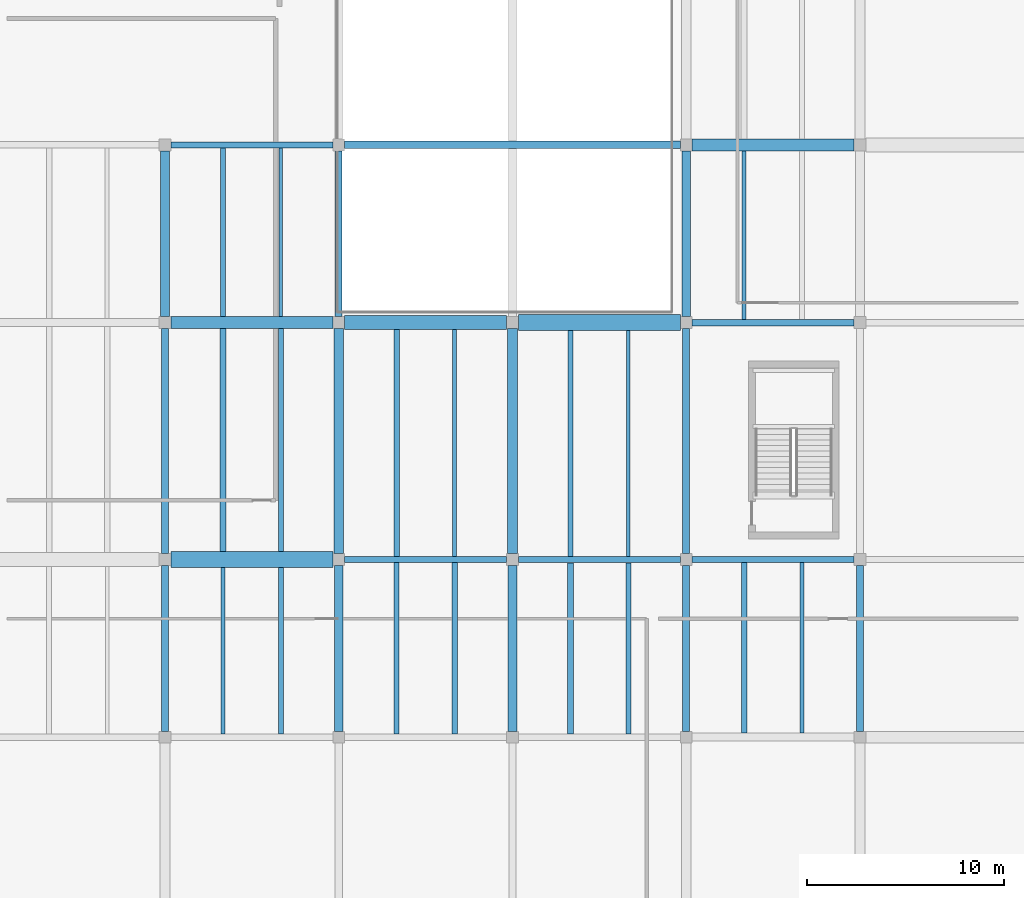
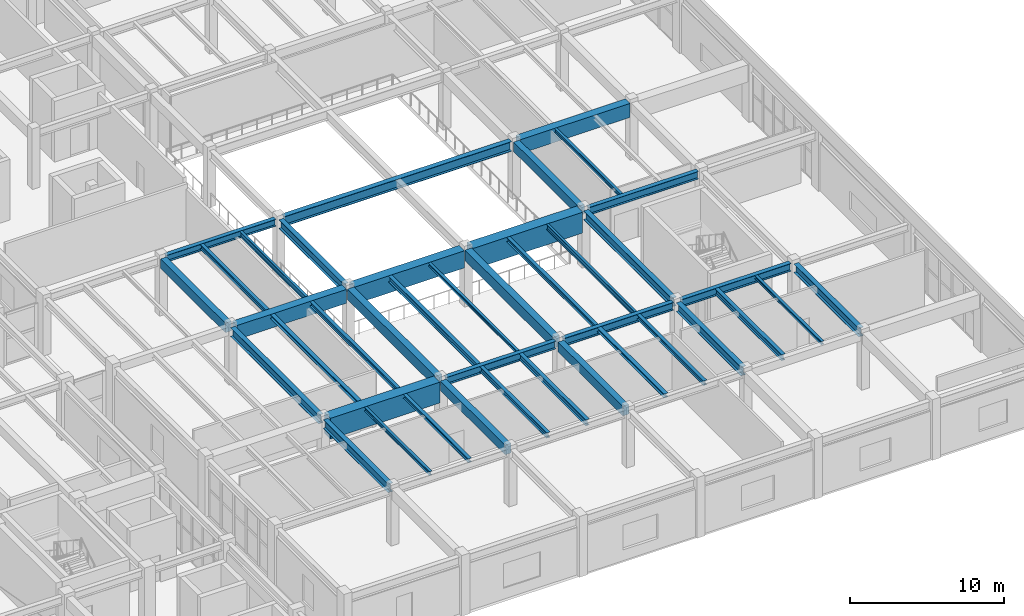
# One storey, part 54 of 96: 40 beams.
"""IFC4 building model written with IfcOpenShell, lengths in metres."""

from ifc_helpers import new_model, si_unit, direction, frame, origin, origin_2d, place, context, subcontext, project, spatial, rectangle, i_section, extrude, material, material_profile, profile_set, type_object, element, save


model = new_model("IFC4")

# Units and contexts
model_context = context("Model", 3, precision=1e-05, world=origin(), true_north=direction((0.0, 1.0)))
body_context = subcontext(model_context, "Body", "Model", "MODEL_VIEW")
ifc_project = project(units=[si_unit("LENGTHUNIT", "METRE"), si_unit("AREAUNIT", "SQUARE_METRE"), si_unit("VOLUMEUNIT", "CUBIC_METRE"), si_unit("PLANEANGLEUNIT", "RADIAN"), si_unit("MASSUNIT", "GRAM", prefix="KILO")], contexts=[model_context])

# Site, building, storey
site_placement = place(None, origin())
site = spatial("IfcSite", under=ifc_project, at=site_placement, CompositionType="ELEMENT")
building_placement = place(site_placement, origin())
building = spatial("IfcBuilding", under=site, at=building_placement, Name="Vaelkrest Opera House", CompositionType="ELEMENT")
storey_placement = place(building_placement, frame((0.0, 0.0, 5.39990234375)))
storey = spatial("IfcBuildingStorey", under=building, at=storey_placement, Name="L01", CompositionType="ELEMENT", Elevation=5.39990234375)

# Beams
ifc_material_1 = material(Name="Concrete C50/60", Category="concrete")
ifc_material_profile_1 = material_profile(ifc_material_1, rectangle(XDim=0.449951171875, YDim=0.75, at=origin_2d()), Name="RCB450X750")
ifc_profile_set_1 = profile_set([ifc_material_profile_1], Name="Concrete C50/60")
beam_type_1 = type_object("IfcBeamType", Name="B02", PredefinedType="BEAM", material=ifc_profile_set_1)
for number, where, z_axis, x_axis, name in (
    (1, (42.39990234375, -7.5, 4.125), (0.0, 1.0, 0.0), (-1.0, 0.0, 0.0), "Beam BM-V4-L01-2175"),
    (2, (51.199951171875, -28.5, 4.125), (0.0, 1.0, 0.0), (-1.0, 0.0, 0.0), "Beam BM-V4-L01-2179"),
    (3, (60.0, -28.5, 4.125), (0.0, 1.0, 0.0), (-1.0, 0.0, 0.0), "Beam BM-V4-L01-2187"),
    (4, (68.800048828125, -7.5, 4.125), (0.0, 1.0, 0.0), (-1.0, 0.0, 0.0), "Beam BM-V4-L01-2195"),
):
    element("IfcBeam", number, at=place(storey_placement, frame(where, z_axis=z_axis, x_axis=x_axis)), inside=storey, type_object=beam_type_1, Name=name, PredefinedType="BEAM", context=body_context, shape_type="SweptSolid", body=[
        extrude(rectangle(XDim=0.449951171875, YDim=0.75, at=origin_2d()), origin(), (0.0, 0.0, 1.0), 8.39990234375),
    ])
ifc_material_profile_2 = material_profile(ifc_material_1, rectangle(XDim=0.5, YDim=0.85009765625, at=origin_2d()), Name="RCB500X850")
ifc_profile_set_2 = profile_set([ifc_material_profile_2], Name="Concrete C50/60")
beam_type_2 = type_object("IfcBeamType", Name="B03", PredefinedType="BEAM", material=ifc_profile_set_2)
for number, where, z_axis, x_axis, name in (
    (5, (51.199951171875, -19.5, 4.0751953125), (0.0, 1.0, 0.0), (-1.0, 0.0, 0.0), "Beam BM-V4-L01-2180"),
    (6, (60.0, -19.5, 4.0751953125), (0.0, 1.0, 0.0), (-1.0, 0.0, 0.0), "Beam BM-V4-L01-2188"),
):
    element("IfcBeam", number, at=place(storey_placement, frame(where, z_axis=z_axis, x_axis=x_axis)), inside=storey, type_object=beam_type_2, Name=name, PredefinedType="BEAM", context=body_context, shape_type="SweptSolid", body=[
        extrude(rectangle(XDim=0.5, YDim=0.85009765625, at=origin_2d()), origin(), (0.0, 0.0, 1.0), 11.39990234375),
    ])
ifc_material_profile_3 = material_profile(ifc_material_1, rectangle(XDim=0.60009765625, YDim=1.10009765625, at=origin_2d()), Name="RCB600X1100")
ifc_profile_set_3 = profile_set([ifc_material_profile_3], Name="Concrete C50/60")
beam_type_3 = type_object("IfcBeamType", Name="B05", PredefinedType="BEAM", material=ifc_profile_set_3)
for number, where, z_axis, x_axis, name in (
    (7, (42.699951171875, -7.800048828125, 3.9501953125), (1.0, 0.0, 0.0), (0.0, 1.0, 0.0), "Beam BM-V4-L01-2134"),
    (8, (69.10009765625, 1.199951171875, 3.9501953125), (1.0, 0.0, 0.0), (0.0, 1.0, 0.0), "Beam BM-V4-L01-2142"),
):
    element("IfcBeam", number, at=place(storey_placement, frame(where, z_axis=z_axis, x_axis=x_axis)), inside=storey, type_object=beam_type_3, Name=name, PredefinedType="BEAM", context=body_context, shape_type="SweptSolid", body=[
        extrude(rectangle(XDim=0.60009765625, YDim=1.10009765625, at=origin_2d()), origin(), (0.0, 0.0, 1.0), 8.199951171875),
    ])
ifc_material_profile_4 = material_profile(ifc_material_1, rectangle(XDim=0.699951171875, YDim=1.35009765625, at=origin_2d()), Name="RCB700X1350")
ifc_profile_set_4 = profile_set([ifc_material_profile_4], Name="Concrete C50/60")
beam_type_4 = type_object("IfcBeamType", Name="B06", PredefinedType="BEAM", material=ifc_profile_set_4)
beam_1_placement = place(storey_placement, frame((51.5, -7.800048828125, 3.8251953125), z_axis=(1.0, 0.0, 0.0), x_axis=(0.0, 1.0, 0.0)))
element("IfcBeam", 9, at=beam_1_placement, inside=storey, type_object=beam_type_4, Name="Beam BM-V4-L01-2135", PredefinedType="BEAM", context=body_context, shape_type="SweptSolid", body=[
    extrude(rectangle(XDim=0.699951171875, YDim=1.35009765625, at=origin_2d()), origin(), (0.0, 0.0, 1.0), 8.199951171875),
])
ifc_material_profile_5 = material_profile(ifc_material_1, rectangle(XDim=0.800048828125, YDim=1.64990234375, at=origin_2d()), Name="RCB800X1650")
ifc_profile_set_5 = profile_set([ifc_material_profile_5], Name="Concrete C50/60")
beam_type_5 = type_object("IfcBeamType", Name="B07", PredefinedType="BEAM", material=ifc_profile_set_5)
for number, where, z_axis, x_axis, name in (
    (10, (42.699951171875, -19.800048828125, 3.675048828125), (1.0, 0.0, 0.0), (0.0, 1.0, 0.0), "Beam BM-V4-L01-2128"),
    (11, (60.300048828125, -7.800048828125, 3.675048828125), (1.0, 0.0, 0.0), (0.0, 1.0, 0.0), "Beam BM-V4-L01-2136"),
):
    element("IfcBeam", number, at=place(storey_placement, frame(where, z_axis=z_axis, x_axis=x_axis)), inside=storey, type_object=beam_type_5, Name=name, PredefinedType="BEAM", context=body_context, shape_type="SweptSolid", body=[
        extrude(rectangle(XDim=0.800048828125, YDim=1.64990234375, at=origin_2d()), origin(), (0.0, 0.0, 1.0), 8.199951171875),
    ])
ifc_material_2 = material(Name="Steel A992 Gr50", Category="steel")
ifc_material_profile_6 = material_profile(ifc_material_2, i_section(OverallWidth=0.323974609375, OverallDepth=0.611083984375, WebThickness=0.0126953125, FlangeThickness=0.01904296875, at=origin_2d()), Name="W24X104")
ifc_profile_set_6 = profile_set([ifc_material_profile_6], Name="Steel A992 Gr50")
beam_type_6 = type_object("IfcBeamType", Name="B08", PredefinedType="BEAM", material=ifc_profile_set_6)
for number, where, z_axis, x_axis, name in (
    (12, (51.5, -19.800048828125, 4.194580078125), (1.0, 0.0, 0.0), (0.0, 1.0, 0.0), "Beam BM-V4-L01-2129"),
    (13, (69.10009765625, -7.800048828125, 4.194580078125), (1.0, 0.0, 0.0), (0.0, 1.0, 0.0), "Beam BM-V4-L01-2137"),
):
    element("IfcBeam", number, at=place(storey_placement, frame(where, z_axis=z_axis, x_axis=x_axis)), inside=storey, type_object=beam_type_6, Name=name, PredefinedType="BEAM", context=body_context, shape_type="SweptSolid", body=[
        extrude(i_section(OverallWidth=0.323974609375, OverallDepth=0.611083984375, WebThickness=0.0126953125, FlangeThickness=0.01904296875, at=origin_2d()), origin(), (0.0, 0.0, 1.0), 8.199951171875),
    ])
ifc_material_profile_7 = material_profile(ifc_material_2, i_section(OverallWidth=0.327880859375, OverallDepth=0.6279296875, WebThickness=0.0166015625, FlangeThickness=0.027587890625, at=origin_2d()), Name="W24X146")
ifc_profile_set_7 = profile_set([ifc_material_profile_7], Name="Steel A992 Gr50")
beam_type_7 = type_object("IfcBeamType", Name="B09", PredefinedType="BEAM", material=ifc_profile_set_7)
beam_2_placement = place(storey_placement, frame((60.300048828125, -19.800048828125, 4.18603515625), z_axis=(1.0, 0.0, 0.0), x_axis=(0.0, 1.0, 0.0)))
element("IfcBeam", 14, at=beam_2_placement, inside=storey, type_object=beam_type_7, Name="Beam BM-V4-L01-2130", PredefinedType="BEAM", context=body_context, shape_type="SweptSolid", body=[
    extrude(i_section(OverallWidth=0.327880859375, OverallDepth=0.6279296875, WebThickness=0.0166015625, FlangeThickness=0.027587890625, at=origin_2d()), origin(), (0.0, 0.0, 1.0), 8.199951171875),
])
ifc_material_profile_8 = material_profile(ifc_material_2, i_section(OverallWidth=0.35498046875, OverallDepth=0.695068359375, WebThickness=0.015380859375, FlangeThickness=0.02490234375, at=origin_2d()), Name="W27X146")
ifc_profile_set_8 = profile_set([ifc_material_profile_8], Name="Steel A992 Gr50")
beam_type_8 = type_object("IfcBeamType", Name="B10", PredefinedType="BEAM", material=ifc_profile_set_8)
for number, where, z_axis, x_axis, name in (
    (15, (42.39990234375, -28.5, 4.152587890625), (0.0, 1.0, 0.0), (-1.0, 0.0, 0.0), "Beam BM-V4-L01-2173"),
    (16, (51.199951171875, -7.5, 4.152587890625), (0.0, 1.0, 0.0), (-1.0, 0.0, 0.0), "Beam BM-V4-L01-2181"),
    (17, (68.800048828125, -28.5, 4.152587890625), (0.0, 1.0, 0.0), (-1.0, 0.0, 0.0), "Beam BM-V4-L01-2193"),
    (18, (77.60009765625, -28.5, 4.152587890625), (0.0, 1.0, 0.0), (-1.0, 0.0, 0.0), "Beam BM-V4-L01-2201"),
):
    element("IfcBeam", number, at=place(storey_placement, frame(where, z_axis=z_axis, x_axis=x_axis)), inside=storey, type_object=beam_type_8, Name=name, PredefinedType="BEAM", context=body_context, shape_type="SweptSolid", body=[
        extrude(i_section(OverallWidth=0.35498046875, OverallDepth=0.695068359375, WebThickness=0.015380859375, FlangeThickness=0.02490234375, at=origin_2d()), origin(), (0.0, 0.0, 1.0), 8.39990234375),
    ])
ifc_material_profile_9 = material_profile(ifc_material_2, i_section(OverallWidth=0.381103515625, OverallDepth=0.77294921875, WebThickness=0.0166015625, FlangeThickness=0.027099609375, at=origin_2d()), Name="W30X173")
ifc_profile_set_9 = profile_set([ifc_material_profile_9], Name="Steel A992 Gr50")
beam_type_9 = type_object("IfcBeamType", Name="B11", PredefinedType="BEAM", material=ifc_profile_set_9)
beam_3_placement = place(storey_placement, frame((51.5, 1.199951171875, 4.113525390625), z_axis=(1.0, 0.0, 0.0), x_axis=(0.0, 1.0, 0.0)))
element("IfcBeam", 19, at=beam_3_placement, inside=storey, type_object=beam_type_9, Name="Beam BM-V4-L01-2141", PredefinedType="BEAM", context=body_context, shape_type="SweptSolid", body=[
    extrude(i_section(OverallWidth=0.381103515625, OverallDepth=0.77294921875, WebThickness=0.0166015625, FlangeThickness=0.027099609375, at=origin_2d()), origin(), (0.0, 0.0, 1.0), 17.0),
])
ifc_material_profile_10 = material_profile(ifc_material_2, i_section(OverallWidth=0.35791015625, OverallDepth=0.7060546875, WebThickness=0.018310546875, FlangeThickness=0.0302734375, at=origin_2d()), Name="W27X178")
ifc_profile_set_10 = profile_set([ifc_material_profile_10], Name="Steel A992 Gr50")
beam_type_10 = type_object("IfcBeamType", Name="B14", PredefinedType="BEAM", material=ifc_profile_set_10)
for number, where, z_axis, x_axis, name in (
    (20, (42.39990234375, -19.5, 4.147216796875), (0.0, 1.0, 0.0), (-1.0, 0.0, 0.0), "Beam BM-V4-L01-2174"),
    (21, (68.800048828125, -19.5, 4.147216796875), (0.0, 1.0, 0.0), (-1.0, 0.0, 0.0), "Beam BM-V4-L01-2194"),
):
    element("IfcBeam", number, at=place(storey_placement, frame(where, z_axis=z_axis, x_axis=x_axis)), inside=storey, type_object=beam_type_10, Name=name, PredefinedType="BEAM", context=body_context, shape_type="SweptSolid", body=[
        extrude(i_section(OverallWidth=0.35791015625, OverallDepth=0.7060546875, WebThickness=0.018310546875, FlangeThickness=0.0302734375, at=origin_2d()), origin(), (0.0, 0.0, 1.0), 11.39990234375),
    ])
ifc_material_profile_11 = material_profile(ifc_material_2, i_section(OverallWidth=0.326904296875, OverallDepth=0.6220703125, WebThickness=0.015380859375, FlangeThickness=0.0244140625, at=origin_2d()), Name="W24X131")
ifc_profile_set_11 = profile_set([ifc_material_profile_11], Name="Steel A992 Gr50")
beam_type_11 = type_object("IfcBeamType", Name="B19", PredefinedType="BEAM", material=ifc_profile_set_11)
beam_4_placement = place(storey_placement, frame((69.10009765625, -19.800048828125, 4.189208984375), z_axis=(1.0, 0.0, 0.0), x_axis=(0.0, 1.0, 0.0)))
element("IfcBeam", 22, at=beam_4_placement, inside=storey, type_object=beam_type_11, Name="Beam BM-V4-L01-2131", PredefinedType="BEAM", context=body_context, shape_type="SweptSolid", body=[
    extrude(i_section(OverallWidth=0.326904296875, OverallDepth=0.6220703125, WebThickness=0.015380859375, FlangeThickness=0.0244140625, at=origin_2d()), origin(), (0.0, 0.0, 1.0), 8.199951171875),
])
ifc_material_profile_12 = material_profile(ifc_material_2, i_section(OverallWidth=0.31494140625, OverallDepth=0.551025390625, WebThickness=0.01513671875, FlangeThickness=0.0244140625, at=origin_2d()), Name="W21X122")
ifc_profile_set_12 = profile_set([ifc_material_profile_12], Name="Steel A992 Gr50")
beam_type_12 = type_object("IfcBeamType", Name="B20", PredefinedType="BEAM", material=ifc_profile_set_12)
beam_5_placement = place(storey_placement, frame((42.699951171875, 1.199951171875, 4.224609375), z_axis=(1.0, 0.0, 0.0), x_axis=(0.0, 1.0, 0.0)))
element("IfcBeam", 23, at=beam_5_placement, inside=storey, type_object=beam_type_12, Name="Beam BM-V4-L01-2140", PredefinedType="BEAM", context=body_context, shape_type="SweptSolid", body=[
    extrude(i_section(OverallWidth=0.31494140625, OverallDepth=0.551025390625, WebThickness=0.01513671875, FlangeThickness=0.0244140625, at=origin_2d()), origin(), (0.0, 0.0, 1.0), 8.199951171875),
])
ifc_material_profile_13 = material_profile(ifc_material_2, i_section(OverallWidth=0.2041015625, OverallDepth=0.257080078125, WebThickness=0.0087890625, FlangeThickness=0.015625, at=origin_2d()), Name="W10X45")
ifc_profile_set_13 = profile_set([ifc_material_profile_13], Name="Steel A992 Gr50")
beam_type_13 = type_object("IfcBeamType", Name="J01", PredefinedType="JOIST", material=ifc_profile_set_13)
beam_6_placement = place(storey_placement, frame((57.06689453125, -19.637939453125, 4.37158203125), z_axis=(0.0, 1.0, 0.0), x_axis=(-1.0, 0.0, 0.0)))
element("IfcBeam", 24, at=beam_6_placement, inside=storey, type_object=beam_type_13, Name="Floor joist JST-V4-L01-2231", PredefinedType="JOIST", context=body_context, shape_type="SweptSolid", body=[
    extrude(i_section(OverallWidth=0.2041015625, OverallDepth=0.257080078125, WebThickness=0.0087890625, FlangeThickness=0.015625, at=origin_2d()), origin(), (0.0, 0.0, 1.0), 11.488037109375),
])
beam_7_placement = place(storey_placement, frame((74.6669921875, -28.60009765625, 4.37158203125), z_axis=(0.0, 1.0, 0.0), x_axis=(-1.0, 0.0, 0.0)))
element("IfcBeam", 25, at=beam_7_placement, inside=storey, type_object=beam_type_13, Name="Floor joist JST-V4-L01-2241", PredefinedType="JOIST", context=body_context, shape_type="SweptSolid", body=[
    extrude(i_section(OverallWidth=0.2041015625, OverallDepth=0.257080078125, WebThickness=0.0087890625, FlangeThickness=0.015625, at=origin_2d()), origin(), (0.0, 0.0, 1.0), 8.63671875),
])
ifc_material_profile_14 = material_profile(ifc_material_2, i_section(OverallWidth=0.202880859375, OverallDepth=0.302978515625, WebThickness=0.007568359375, FlangeThickness=0.01318359375, at=origin_2d()), Name="W12X40")
ifc_profile_set_14 = profile_set([ifc_material_profile_14], Name="Steel A992 Gr50")
beam_type_14 = type_object("IfcBeamType", Name="J02", PredefinedType="JOIST", material=ifc_profile_set_14)
beam_8_placement = place(storey_placement, frame((45.3330078125, -28.635986328125, 4.3486328125), z_axis=(0.0, 1.0, 0.0), x_axis=(-1.0, 0.0, 0.0)))
element("IfcBeam", 26, at=beam_8_placement, inside=storey, type_object=beam_type_14, Name="Floor joist JST-V4-L01-2222", PredefinedType="JOIST", context=body_context, shape_type="SweptSolid", body=[
    extrude(i_section(OverallWidth=0.202880859375, OverallDepth=0.302978515625, WebThickness=0.007568359375, FlangeThickness=0.01318359375, at=origin_2d()), origin(), (0.0, 0.0, 1.0), 8.43603515625),
])
beam_9_placement = place(storey_placement, frame((71.73291015625, -7.637939453125, 4.3486328125), z_axis=(0.0, 1.0, 0.0), x_axis=(-1.0, 0.0, 0.0)))
element("IfcBeam", 27, at=beam_9_placement, inside=storey, type_object=beam_type_14, Name="Floor joist JST-V4-L01-2242", PredefinedType="JOIST", context=body_context, shape_type="SweptSolid", body=[
    extrude(i_section(OverallWidth=0.202880859375, OverallDepth=0.302978515625, WebThickness=0.007568359375, FlangeThickness=0.01318359375, at=origin_2d()), origin(), (0.0, 0.0, 1.0), 8.537841796875),
])
ifc_material_profile_15 = material_profile(ifc_material_2, i_section(OverallWidth=0.25390625, OverallDepth=0.305908203125, WebThickness=0.0087890625, FlangeThickness=0.0146484375, at=origin_2d()), Name="W12X53")
ifc_profile_set_15 = profile_set([ifc_material_profile_15], Name="Steel A992 Gr50")
beam_type_15 = type_object("IfcBeamType", Name="J03", PredefinedType="JOIST", material=ifc_profile_set_15)
beam_10_placement = place(storey_placement, frame((48.26708984375, -28.635986328125, 4.34716796875), z_axis=(0.0, 1.0, 0.0), x_axis=(-1.0, 0.0, 0.0)))
element("IfcBeam", 28, at=beam_10_placement, inside=storey, type_object=beam_type_15, Name="Floor joist JST-V4-L01-2223", PredefinedType="JOIST", context=body_context, shape_type="SweptSolid", body=[
    extrude(i_section(OverallWidth=0.25390625, OverallDepth=0.305908203125, WebThickness=0.0087890625, FlangeThickness=0.0146484375, at=origin_2d()), origin(), (0.0, 0.0, 1.0), 8.43603515625),
])
ifc_material_profile_16 = material_profile(ifc_material_2, i_section(OverallWidth=0.304931640625, OverallDepth=0.30810546875, WebThickness=0.010009765625, FlangeThickness=0.015380859375, at=origin_2d()), Name="W12X65")
ifc_profile_set_16 = profile_set([ifc_material_profile_16], Name="Steel A992 Gr50")
beam_type_16 = type_object("IfcBeamType", Name="J04", PredefinedType="JOIST", material=ifc_profile_set_16)
beam_11_placement = place(storey_placement, frame((45.3330078125, -19.39990234375, 4.34619140625), z_axis=(0.0, 1.0, 0.0), x_axis=(-1.0, 0.0, 0.0)))
element("IfcBeam", 29, at=beam_11_placement, inside=storey, type_object=beam_type_16, Name="Floor joist JST-V4-L01-2224", PredefinedType="JOIST", context=body_context, shape_type="SweptSolid", body=[
    extrude(i_section(OverallWidth=0.304931640625, OverallDepth=0.30810546875, WebThickness=0.010009765625, FlangeThickness=0.015380859375, at=origin_2d()), origin(), (0.0, 0.0, 1.0), 11.2998046875),
])
beam_12_placement = place(storey_placement, frame((62.93310546875, -28.642578125, 4.34619140625), z_axis=(0.0, 1.0, 0.0), x_axis=(-1.0, 0.0, 0.0)))
element("IfcBeam", 30, at=beam_12_placement, inside=storey, type_object=beam_type_16, Name="Floor joist JST-V4-L01-2234", PredefinedType="JOIST", context=body_context, shape_type="SweptSolid", body=[
    extrude(i_section(OverallWidth=0.304931640625, OverallDepth=0.30810546875, WebThickness=0.010009765625, FlangeThickness=0.015380859375, at=origin_2d()), origin(), (0.0, 0.0, 1.0), 8.678466796875),
])
ifc_material_profile_17 = material_profile(ifc_material_2, i_section(OverallWidth=0.2548828125, OverallDepth=0.35693359375, WebThickness=0.010498046875, FlangeThickness=0.018310546875, at=origin_2d()), Name="W14X68")
ifc_profile_set_17 = profile_set([ifc_material_profile_17], Name="Steel A992 Gr50")
beam_type_17 = type_object("IfcBeamType", Name="J05", PredefinedType="JOIST", material=ifc_profile_set_17)
beam_13_placement = place(storey_placement, frame((48.26708984375, -19.39990234375, 4.321533203125), z_axis=(0.0, 1.0, 0.0), x_axis=(-1.0, 0.0, 0.0)))
element("IfcBeam", 31, at=beam_13_placement, inside=storey, type_object=beam_type_17, Name="Floor joist JST-V4-L01-2225", PredefinedType="JOIST", context=body_context, shape_type="SweptSolid", body=[
    extrude(i_section(OverallWidth=0.2548828125, OverallDepth=0.35693359375, WebThickness=0.010498046875, FlangeThickness=0.018310546875, at=origin_2d()), origin(), (0.0, 0.0, 1.0), 11.2998046875),
])
beam_14_placement = place(storey_placement, frame((65.866943359375, -28.642578125, 4.321533203125), z_axis=(0.0, 1.0, 0.0), x_axis=(-1.0, 0.0, 0.0)))
element("IfcBeam", 32, at=beam_14_placement, inside=storey, type_object=beam_type_17, Name="Floor joist JST-V4-L01-2235", PredefinedType="JOIST", context=body_context, shape_type="SweptSolid", body=[
    extrude(i_section(OverallWidth=0.2548828125, OverallDepth=0.35693359375, WebThickness=0.010498046875, FlangeThickness=0.018310546875, at=origin_2d()), origin(), (0.0, 0.0, 1.0), 8.678466796875),
])
ifc_material_profile_18 = material_profile(ifc_material_2, i_section(OverallWidth=0.257080078125, OverallDepth=0.363037109375, WebThickness=0.012939453125, FlangeThickness=0.021728515625, at=origin_2d()), Name="W14X82")
ifc_profile_set_18 = profile_set([ifc_material_profile_18], Name="Steel A992 Gr50")
beam_type_18 = type_object("IfcBeamType", Name="J06", PredefinedType="JOIST", material=ifc_profile_set_18)
beam_15_placement = place(storey_placement, frame((45.3330078125, -7.5, 4.318603515625), z_axis=(0.0, 1.0, 0.0), x_axis=(-1.0, 0.0, 0.0)))
element("IfcBeam", 33, at=beam_15_placement, inside=storey, type_object=beam_type_18, Name="Floor joist JST-V4-L01-2226", PredefinedType="JOIST", context=body_context, shape_type="SweptSolid", body=[
    extrude(i_section(OverallWidth=0.257080078125, OverallDepth=0.363037109375, WebThickness=0.012939453125, FlangeThickness=0.021728515625, at=origin_2d()), origin(), (0.0, 0.0, 1.0), 8.54248046875),
])
beam_16_placement = place(storey_placement, frame((62.93310546875, -19.635986328125, 4.318603515625), z_axis=(0.0, 1.0, 0.0), x_axis=(-1.0, 0.0, 0.0)))
element("IfcBeam", 34, at=beam_16_placement, inside=storey, type_object=beam_type_18, Name="Floor joist JST-V4-L01-2236", PredefinedType="JOIST", context=body_context, shape_type="SweptSolid", body=[
    extrude(i_section(OverallWidth=0.257080078125, OverallDepth=0.363037109375, WebThickness=0.012939453125, FlangeThickness=0.021728515625, at=origin_2d()), origin(), (0.0, 0.0, 1.0), 11.43603515625),
])
ifc_material_profile_19 = material_profile(ifc_material_2, i_section(OverallWidth=0.180908203125, OverallDepth=0.4169921875, WebThickness=0.010986328125, FlangeThickness=0.018310546875, at=origin_2d()), Name="W16X57")
ifc_profile_set_19 = profile_set([ifc_material_profile_19], Name="Steel A992 Gr50")
beam_type_19 = type_object("IfcBeamType", Name="J07", PredefinedType="JOIST", material=ifc_profile_set_19)
beam_17_placement = place(storey_placement, frame((48.26708984375, -7.5, 4.29150390625), z_axis=(0.0, 1.0, 0.0), x_axis=(-1.0, 0.0, 0.0)))
element("IfcBeam", 35, at=beam_17_placement, inside=storey, type_object=beam_type_19, Name="Floor joist JST-V4-L01-2227", PredefinedType="JOIST", context=body_context, shape_type="SweptSolid", body=[
    extrude(i_section(OverallWidth=0.180908203125, OverallDepth=0.4169921875, WebThickness=0.010986328125, FlangeThickness=0.018310546875, at=origin_2d()), origin(), (0.0, 0.0, 1.0), 8.54248046875),
])
beam_18_placement = place(storey_placement, frame((65.866943359375, -19.635986328125, 4.29150390625), z_axis=(0.0, 1.0, 0.0), x_axis=(-1.0, 0.0, 0.0)))
element("IfcBeam", 36, at=beam_18_placement, inside=storey, type_object=beam_type_19, Name="Floor joist JST-V4-L01-2237", PredefinedType="JOIST", context=body_context, shape_type="SweptSolid", body=[
    extrude(i_section(OverallWidth=0.180908203125, OverallDepth=0.4169921875, WebThickness=0.010986328125, FlangeThickness=0.018310546875, at=origin_2d()), origin(), (0.0, 0.0, 1.0), 11.43603515625),
])
ifc_material_profile_20 = material_profile(ifc_material_2, i_section(OverallWidth=0.261962890625, OverallDepth=0.4189453125, WebThickness=0.01171875, FlangeThickness=0.019287109375, at=origin_2d()), Name="W16X77")
ifc_profile_set_20 = profile_set([ifc_material_profile_20], Name="Steel A992 Gr50")
beam_type_20 = type_object("IfcBeamType", Name="J08", PredefinedType="JOIST", material=ifc_profile_set_20)
beam_19_placement = place(storey_placement, frame((54.133056640625, -28.636474609375, 4.29052734375), z_axis=(0.0, 1.0, 0.0), x_axis=(-1.0, 0.0, 0.0)))
element("IfcBeam", 37, at=beam_19_placement, inside=storey, type_object=beam_type_20, Name="Floor joist JST-V4-L01-2228", PredefinedType="JOIST", context=body_context, shape_type="SweptSolid", body=[
    extrude(i_section(OverallWidth=0.261962890625, OverallDepth=0.4189453125, WebThickness=0.01171875, FlangeThickness=0.019287109375, at=origin_2d()), origin(), (0.0, 0.0, 1.0), 8.674560546875),
])
ifc_material_profile_21 = material_profile(ifc_material_2, i_section(OverallWidth=0.280029296875, OverallDepth=0.462890625, WebThickness=0.0107421875, FlangeThickness=0.017333984375, at=origin_2d()), Name="W18X76")
ifc_profile_set_21 = profile_set([ifc_material_profile_21], Name="Steel A992 Gr50")
beam_type_21 = type_object("IfcBeamType", Name="J09", PredefinedType="JOIST", material=ifc_profile_set_21)
beam_20_placement = place(storey_placement, frame((57.06689453125, -28.636474609375, 4.2685546875), z_axis=(0.0, 1.0, 0.0), x_axis=(-1.0, 0.0, 0.0)))
element("IfcBeam", 38, at=beam_20_placement, inside=storey, type_object=beam_type_21, Name="Floor joist JST-V4-L01-2229", PredefinedType="JOIST", context=body_context, shape_type="SweptSolid", body=[
    extrude(i_section(OverallWidth=0.280029296875, OverallDepth=0.462890625, WebThickness=0.0107421875, FlangeThickness=0.017333984375, at=origin_2d()), origin(), (0.0, 0.0, 1.0), 8.674560546875),
])
ifc_material_profile_22 = material_profile(ifc_material_2, i_section(OverallWidth=0.282958984375, OverallDepth=0.471923828125, WebThickness=0.013671875, FlangeThickness=0.022216796875, at=origin_2d()), Name="W18X97")
ifc_profile_set_22 = profile_set([ifc_material_profile_22], Name="Steel A992 Gr50")
beam_type_22 = type_object("IfcBeamType", Name="J10", PredefinedType="JOIST", material=ifc_profile_set_22)
beam_21_placement = place(storey_placement, frame((54.133056640625, -19.637939453125, 4.26416015625), z_axis=(0.0, 1.0, 0.0), x_axis=(-1.0, 0.0, 0.0)))
element("IfcBeam", 39, at=beam_21_placement, inside=storey, type_object=beam_type_22, Name="Floor joist JST-V4-L01-2230", PredefinedType="JOIST", context=body_context, shape_type="SweptSolid", body=[
    extrude(i_section(OverallWidth=0.282958984375, OverallDepth=0.471923828125, WebThickness=0.013671875, FlangeThickness=0.022216796875, at=origin_2d()), origin(), (0.0, 0.0, 1.0), 11.488037109375),
])
beam_22_placement = place(storey_placement, frame((71.73291015625, -28.60009765625, 4.26416015625), z_axis=(0.0, 1.0, 0.0), x_axis=(-1.0, 0.0, 0.0)))
element("IfcBeam", 40, at=beam_22_placement, inside=storey, type_object=beam_type_22, Name="Floor joist JST-V4-L01-2240", PredefinedType="JOIST", context=body_context, shape_type="SweptSolid", body=[
    extrude(i_section(OverallWidth=0.282958984375, OverallDepth=0.471923828125, WebThickness=0.013671875, FlangeThickness=0.022216796875, at=origin_2d()), origin(), (0.0, 0.0, 1.0), 8.63671875),
])

save(model, "model.ifc")
